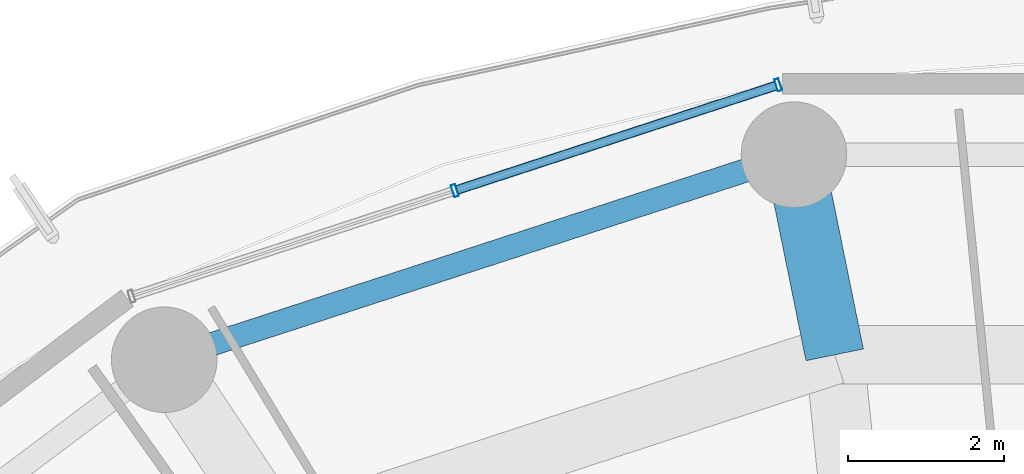
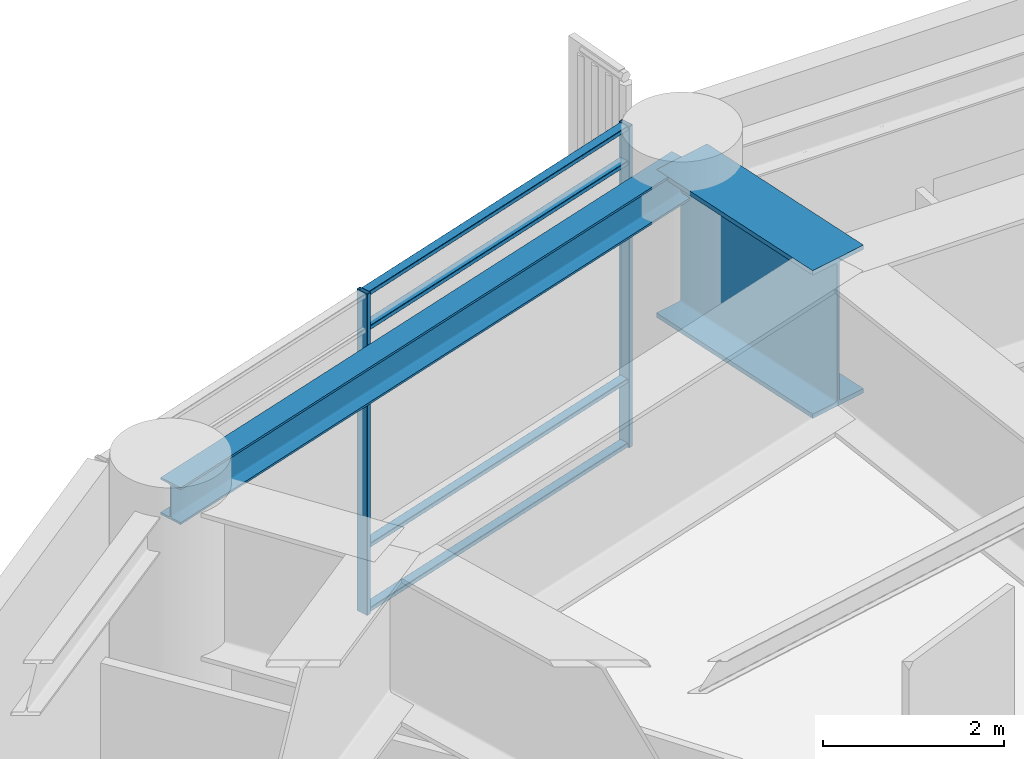
# One storey, part 20 of 34: 6 members, 2 beams, 1 element without a shape of its own.
"""IFC4 building model written with IfcOpenShell, lengths in metres."""

from ifc_helpers import new_model, si_unit, direction, frame, origin, origin_2d, place, context, subcontext, project, spatial, hollow_rectangle, i_section, extrude, material, layer, layer_set, material_profile, profile_set, type_object, element, aggregate, save


model = new_model("IFC4")

# Units and contexts
model_context = context("Model", 3, precision=1e-05, world=origin(), true_north=direction((0.0, 1.0)))
body_context = subcontext(model_context, "Body", "Model", "MODEL_VIEW")
ifc_project = project(units=[si_unit("LENGTHUNIT", "METRE"), si_unit("AREAUNIT", "SQUARE_METRE"), si_unit("VOLUMEUNIT", "CUBIC_METRE"), si_unit("PLANEANGLEUNIT", "RADIAN"), si_unit("MASSUNIT", "GRAM", prefix="KILO")], contexts=[model_context])

# Site, building, storey
site_placement = place(None, origin())
site = spatial("IfcSite", under=ifc_project, at=site_placement, CompositionType="ELEMENT")
building_placement = place(site_placement, origin())
building = spatial("IfcBuilding", under=site, at=building_placement, Name="Kelanora Arch Commons", CompositionType="ELEMENT")
storey_placement = place(building_placement, frame((0.0, 0.0, 125.10009765625)))
storey = spatial("IfcBuildingStorey", under=building, at=storey_placement, Name="L32", CompositionType="ELEMENT", Elevation=125.10009765625)

# Beams
ifc_material_1 = material(Name="Steel S355", Category="steel")
ifc_material_profile_1 = material_profile(ifc_material_1, i_section(OverallWidth=0.300048828125, OverallDepth=0.5, WebThickness=0.014404296875, FlangeThickness=0.028076171875, FilletRadius=0.027099609375, at=origin_2d()), Name="HEB500")
ifc_profile_set_1 = profile_set([ifc_material_profile_1], Name="Steel S355")
beam_type_1 = type_object("IfcBeamType", Name="BM-SPN-Z2", PredefinedType="SPANDREL", material=ifc_profile_set_1)
beam_1_placement = place(storey_placement, frame((69.71435546875, 79.74462890625, 4.10986328125), z_axis=(-0.950856631974, -0.309631499418, 0.0), x_axis=(0.309631499418, -0.950856631974, 0.0)))
element("IfcBeam", 1, at=beam_1_placement, inside=storey, type_object=beam_type_1, Name="Perimeter Spandrel Beam BS-10 L32", PredefinedType="SPANDREL", context=body_context, shape_type="SweptSolid", body=[
    extrude(i_section(OverallWidth=0.300048828125, OverallDepth=0.5, WebThickness=0.014404296875, FlangeThickness=0.028076171875, FilletRadius=0.027099609375, at=origin_2d()), origin(), (0.0, 0.0, 1.0), 8.470703125),
])
ifc_material_profile_2 = material_profile(ifc_material_1, i_section(OverallWidth=0.75, OverallDepth=2.0, WebThickness=0.034912109375, FlangeThickness=0.06005859375, FilletRadius=0.028076171875, at=origin_2d()), Name="PG2000x750")
ifc_profile_set_2 = profile_set([ifc_material_profile_2], Name="Steel S355")
beam_type_2 = type_object("IfcBeamType", Name="BM-XFER-SET", PredefinedType="USERDEFINED", material=ifc_profile_set_2)
beam_2_placement = place(storey_placement, frame((70.2353515625, 77.18408203125, 3.35986328125), z_axis=(-0.199385185861, 0.979921194617, 0.0), x_axis=(-0.979921194617, -0.199385185861, 0.0)))
element("IfcBeam", 2, at=beam_2_placement, inside=storey, type_object=beam_type_2, Name="Radial Floor Girder BR-10 L32", ObjectType="TRANSFER_GIRDER", PredefinedType="USERDEFINED", context=body_context, shape_type="SweptSolid", body=[
    extrude(i_section(OverallWidth=0.75, OverallDepth=2.0, WebThickness=0.034912109375, FlangeThickness=0.06005859375, FilletRadius=0.028076171875, at=origin_2d()), origin(), (0.0, 0.0, 1.0), 2.613037109375),
])

# Curtain wall, members
ifc_material_2 = material(Name="Terracotta ceramic-fritted low-E glass and aluminium", Category="masonry")
ifc_layer = layer(ifc_material_2, 0.159912109375)
ifc_layer_set = layer_set([ifc_layer], Name="Terracotta ceramic-fritted low-E glass and aluminium")
curtain_wall_type = type_object("IfcCurtainWallType", Name="CW-SYS-01", PredefinedType="NOTDEFINED", material=ifc_layer_set)
curtain_wall_placement = place(storey_placement, origin())
curtain_wall = element("IfcCurtainWall", 3, at=curtain_wall_placement, inside=storey, type_object=curtain_wall_type, Name="Unitised Curtain Wall L32-B05", PredefinedType="NOTDEFINED")
ifc_material_3 = material(Name="Powder-coated aluminium terracotta", Category="masonry")
ifc_material_profile_3 = material_profile(ifc_material_3, hollow_rectangle(XDim=0.159912109375, YDim=0.06005859375, WallThickness=0.0048828125, InnerFilletRadius=0.0048828125, OuterFilletRadius=0.010009765625, at=origin_2d()), Name="CWM160x60")
ifc_profile_set_3 = profile_set([ifc_material_profile_3], Name="Powder-coated aluminium terracotta")
member_type_1 = type_object("IfcMemberType", Name="CWM-STD", PredefinedType="MULLION", material=ifc_profile_set_3)
member_1_placement = place(storey_placement, frame((69.51171875, 80.636474609375, 0.0), z_axis=(0.0, 0.0, 1.0), x_axis=(0.31080470294, -0.950473795867, 0.0)))
member_1 = element("IfcMember", 4, at=member_1_placement, type_object=member_type_1, Name="CW-01 mullion 1", PredefinedType="MULLION", context=body_context, shape_type="SweptSolid", body=[
    extrude(hollow_rectangle(XDim=0.159912109375, YDim=0.06005859375, WallThickness=0.0048828125, InnerFilletRadius=0.0048828125, OuterFilletRadius=0.010009765625, at=origin_2d()), origin(), (0.0, 0.0, 1.0), 4.344970703125),
])
member_2_placement = place(storey_placement, frame((65.377197265625, 79.28466796875, 0.0), z_axis=(0.0, 0.0, 1.0), x_axis=(0.31080470294, -0.950473795867, 0.0)))
member_2 = element("IfcMember", 5, at=member_2_placement, type_object=member_type_1, Name="CW-01 mullion 2", PredefinedType="MULLION", context=body_context, shape_type="SweptSolid", body=[
    extrude(hollow_rectangle(XDim=0.159912109375, YDim=0.06005859375, WallThickness=0.0048828125, InnerFilletRadius=0.0048828125, OuterFilletRadius=0.010009765625, at=origin_2d()), origin(), (0.0, 0.0, 1.0), 4.344970703125),
])
ifc_material_profile_4 = material_profile(ifc_material_3, hollow_rectangle(XDim=0.1201171875, YDim=0.06005859375, WallThickness=0.0048828125, InnerFilletRadius=0.0048828125, OuterFilletRadius=0.010009765625, at=origin_2d()), Name="CWT120x60")
ifc_profile_set_4 = profile_set([ifc_material_profile_4], Name="Powder-coated aluminium terracotta")
member_type_2 = type_object("IfcMemberType", Name="CWT-STD", PredefinedType="USERDEFINED", material=ifc_profile_set_4)
member_3_placement = place(storey_placement, frame((69.483154296875, 80.627197265625, 0.02978515625), z_axis=(-0.950477544745, -0.31079323824, 0.0), x_axis=(0.31079323824, -0.950477544745, 0.0)))
member_3 = element("IfcMember", 6, at=member_3_placement, type_object=member_type_2, Name="CW-01 transom 1.1", ObjectType="TRANSOM", PredefinedType="USERDEFINED", context=body_context, shape_type="SweptSolid", body=[
    extrude(hollow_rectangle(XDim=0.1201171875, YDim=0.06005859375, WallThickness=0.0048828125, InnerFilletRadius=0.0048828125, OuterFilletRadius=0.010009765625, at=origin_2d()), origin(), (0.0, 0.0, 1.0), 4.289794921875),
])
member_4_placement = place(storey_placement, frame((69.483154296875, 80.627197265625, 0.89990234375), z_axis=(-0.950477544745, -0.31079323824, 0.0), x_axis=(0.31079323824, -0.950477544745, 0.0)))
member_4 = element("IfcMember", 7, at=member_4_placement, type_object=member_type_2, Name="CW-01 transom 1.2", ObjectType="TRANSOM", PredefinedType="USERDEFINED", context=body_context, shape_type="SweptSolid", body=[
    extrude(hollow_rectangle(XDim=0.1201171875, YDim=0.06005859375, WallThickness=0.0048828125, InnerFilletRadius=0.0048828125, OuterFilletRadius=0.010009765625, at=origin_2d()), origin(), (0.0, 0.0, 1.0), 4.289794921875),
])
member_5_placement = place(storey_placement, frame((69.483154296875, 80.627197265625, 3.844970703125), z_axis=(-0.950477544745, -0.31079323824, 0.0), x_axis=(0.31079323824, -0.950477544745, 0.0)))
member_5 = element("IfcMember", 8, at=member_5_placement, type_object=member_type_2, Name="CW-01 transom 1.3", ObjectType="TRANSOM", PredefinedType="USERDEFINED", context=body_context, shape_type="SweptSolid", body=[
    extrude(hollow_rectangle(XDim=0.1201171875, YDim=0.06005859375, WallThickness=0.0048828125, InnerFilletRadius=0.0048828125, OuterFilletRadius=0.010009765625, at=origin_2d()), origin(), (0.0, 0.0, 1.0), 4.289794921875),
])
member_6_placement = place(storey_placement, frame((69.483154296875, 80.627197265625, 4.31494140625), z_axis=(-0.950477544745, -0.31079323824, 0.0), x_axis=(0.31079323824, -0.950477544745, 0.0)))
member_6 = element("IfcMember", 9, at=member_6_placement, type_object=member_type_2, Name="CW-01 transom 1.4", ObjectType="TRANSOM", PredefinedType="USERDEFINED", context=body_context, shape_type="SweptSolid", body=[
    extrude(hollow_rectangle(XDim=0.1201171875, YDim=0.06005859375, WallThickness=0.0048828125, InnerFilletRadius=0.0048828125, OuterFilletRadius=0.010009765625, at=origin_2d()), origin(), (0.0, 0.0, 1.0), 4.289794921875),
])
aggregate(curtain_wall, [member_1, member_2, member_3, member_4, member_5, member_6])

save(model, "model.ifc")
